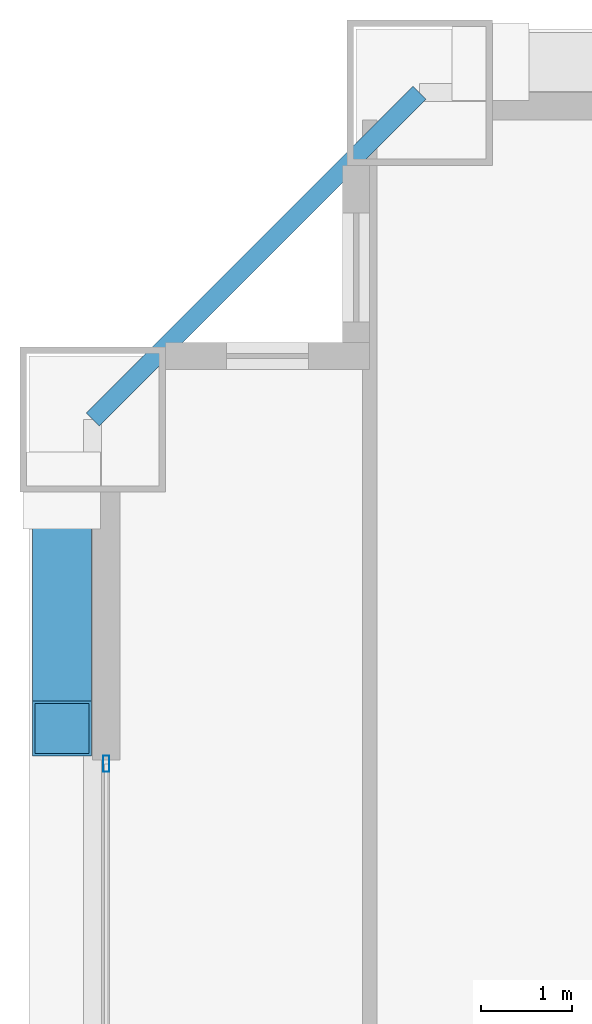
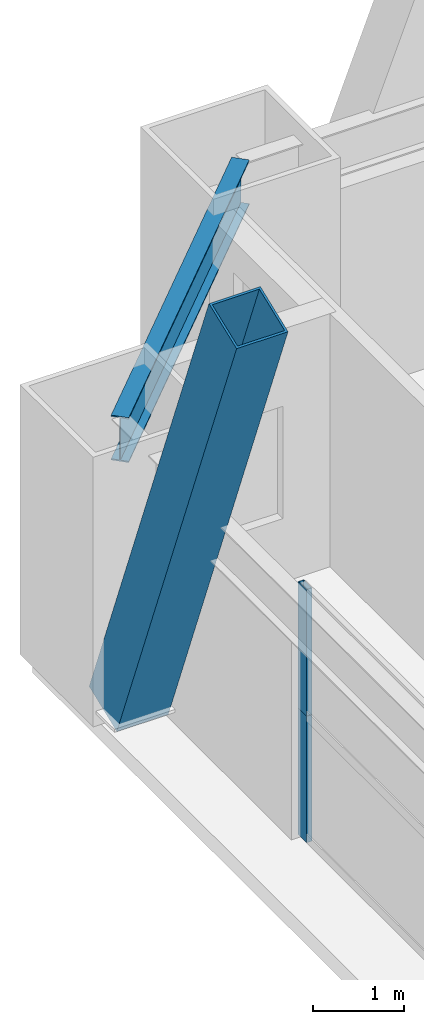
# One storey, part 25 of 43: 3 members, 1 beam, 1 element without a shape of its own.
"""IFC4 building model written with IfcOpenShell, lengths in metres."""

from ifc_helpers import new_model, si_unit, direction, frame, origin, origin_2d, place, context, subcontext, project, spatial, hollow_rectangle, i_section, extrude, source, transform, mapped, material, layer, layer_set, material_profile, profile_set, type_object, element, aggregate, save


model = new_model("IFC4")

# Units and contexts
model_context = context("Model", 3, precision=1e-05, world=origin(), true_north=direction((0.0, 1.0)))
body_context = subcontext(model_context, "Body", "Model", "MODEL_VIEW")
ifc_project = project(units=[si_unit("LENGTHUNIT", "METRE"), si_unit("AREAUNIT", "SQUARE_METRE"), si_unit("VOLUMEUNIT", "CUBIC_METRE"), si_unit("PLANEANGLEUNIT", "RADIAN"), si_unit("MASSUNIT", "GRAM", prefix="KILO"), si_unit("THERMODYNAMICTEMPERATUREUNIT", "KELVIN"), si_unit("POWERUNIT", "WATT")], contexts=[model_context])

# Site, building, storey
site_placement = place(None, origin())
site = spatial("IfcSite", under=ifc_project, at=site_placement, CompositionType="ELEMENT")
building_placement = place(site_placement, origin())
building = spatial("IfcBuilding", under=site, at=building_placement, Name="Yuzanri Waterfront Tower", CompositionType="ELEMENT")
storey_placement = place(building_placement, frame((0.0, 0.0, 159.60009765625)))
storey = spatial("IfcBuildingStorey", under=building, at=storey_placement, Name="L42", CompositionType="ELEMENT", Elevation=159.60009765625)

# Beam
ifc_material_1 = material(Name="Steel Q355B", Category="steel")
ifc_material_profile_1 = material_profile(ifc_material_1, i_section(OverallWidth=0.199951171875, OverallDepth=0.60009765625, WebThickness=0.010986328125, FlangeThickness=0.01708984375, at=origin_2d()), Name="HN 600x200x11x17")
ifc_profile_set_1 = profile_set([ifc_material_profile_1], Name="Steel Q355B")
beam_type = type_object("IfcBeamType", Name="Perimeter Spandrel Q355B HN 600x200", PredefinedType="SPANDREL", material=ifc_profile_set_1)
shared_shape_1 = source(origin(), body_context, "Body", "SweptSolid", [
    extrude(i_section(OverallWidth=0.199951171875, OverallDepth=0.60009765625, WebThickness=0.010986328125, FlangeThickness=0.01708984375, at=origin_2d()), origin(), (0.0, 0.0, 1.0), 5.091064453125),
])
beam_placement = place(storey_placement, frame((17.0, 49.39990234375, 3.079833984375), z_axis=(-0.707130757816, -0.707082803744, 0.0), x_axis=(0.707082803744, -0.707130757816, 0.0)))
element("IfcBeam", 1, at=beam_placement, inside=storey, type_object=beam_type, Name="L42 Perimeter Spandrel N1-W3", PredefinedType="SPANDREL", context=body_context, shape_type="MappedRepresentation", body=[
    mapped(shared_shape_1, transform((0.0, 0.0, 0.0), scale=1.0)),
])

# Member
ifc_material_2 = material(Name="Steel Q420GJC", Category="steel")
ifc_material_profile_2 = material_profile(ifc_material_2, hollow_rectangle(XDim=0.64990234375, YDim=0.64990234375, WallThickness=0.028076171875, at=origin_2d()), Name="RHS 650x650x28")
ifc_profile_set_2 = profile_set([ifc_material_profile_2], Name="Steel Q420GJC")
member_type_1 = type_object("IfcMemberType", Name="Mega Brace Lower Q420GJC RHS 650x650x28", PredefinedType="BRACE", material=ifc_profile_set_2)
shared_shape_2 = source(origin(), body_context, "Body", "SweptSolid", [
    extrude(hollow_rectangle(XDim=0.64990234375, YDim=0.64990234375, WallThickness=0.028076171875, at=origin_2d()), origin(), (0.0, 0.0, 1.0), 7.194091796875),
])
member_1_placement = place(storey_placement, frame((13.06005859375, 45.02001953125, 0.179931640625), z_axis=(0.0, -0.36420612543, 0.931318365651), x_axis=(1.0, 0.0, 0.0)))
element("IfcMember", 2, at=member_1_placement, inside=storey, type_object=member_type_1, Name="L42-L43 Perimeter Mega-Brace W-R", PredefinedType="BRACE", context=body_context, shape_type="MappedRepresentation", body=[
    mapped(shared_shape_2, transform((0.0, 0.0, 0.0), scale=1.0)),
])

# Curtain wall, members
ifc_material_3 = material(Name="Anodized Architectural Bronze", Category="metal")
ifc_layer = layer(ifc_material_3, 0.159912109375)
ifc_layer_set = layer_set([ifc_layer], Name="Anodized Architectural Bronze")
curtain_wall_type = type_object("IfcCurtainWallType", Name="Anodized Bronze Hotel Upper-Tier Solar-Control Unitized Curtain Wall 7800", PredefinedType="NOTDEFINED", material=ifc_layer_set)
curtain_wall_placement = place(storey_placement, origin())
curtain_wall = element("IfcCurtainWall", 3, at=curtain_wall_placement, inside=storey, type_object=curtain_wall_type, Name="L42 Curtain Wall CW-L42-WR", PredefinedType="NOTDEFINED")
ifc_material_4 = material(Name="Anodized Architectural Bronze", Category="metal")
ifc_material_profile_3 = material_profile(ifc_material_4, hollow_rectangle(XDim=0.070068359375, YDim=0.179931640625, WallThickness=0.00390625, at=origin_2d()), Name="CWM 70x180")
ifc_profile_set_3 = profile_set([ifc_material_profile_3], Name="Anodized Architectural Bronze")
member_type_2 = type_object("IfcMemberType", Name="Anodized Bronze Standard Curtain-Wall Mullion 70x180", PredefinedType="MULLION", material=ifc_profile_set_3)
shared_shape_3 = source(origin(), body_context, "Body", "SweptSolid", [
    extrude(hollow_rectangle(XDim=0.070068359375, YDim=0.179931640625, WallThickness=0.00390625, at=origin_2d()), origin(), (0.0, 0.0, 1.0), 1.68798828125),
])
member_2_placement = place(storey_placement, frame((13.550048828125, 42.010009765625, 0.0), z_axis=(0.0, 0.0, 1.0), x_axis=(1.0, 0.0, 0.0)))
member_2 = element("IfcMember", 4, at=member_2_placement, type_object=member_type_2, Name="CW-L42-WR Lower Mullion 02", PredefinedType="MULLION", context=body_context, shape_type="MappedRepresentation", body=[
    mapped(shared_shape_3, transform((0.0, 0.0, 0.0), scale=1.0)),
])
member_3_placement = place(storey_placement, frame((13.550048828125, 42.010009765625, 1.69189453125), z_axis=(0.0, 0.0, 1.0), x_axis=(1.0, 0.0, 0.0)))
member_3 = element("IfcMember", 5, at=member_3_placement, type_object=member_type_2, Name="CW-L42-WR Upper Mullion 02", PredefinedType="MULLION", context=body_context, shape_type="MappedRepresentation", body=[
    mapped(shared_shape_3, transform((0.0, 0.0, 0.0), scale=1.0)),
])
aggregate(curtain_wall, [member_2, member_3])

save(model, "model.ifc")
